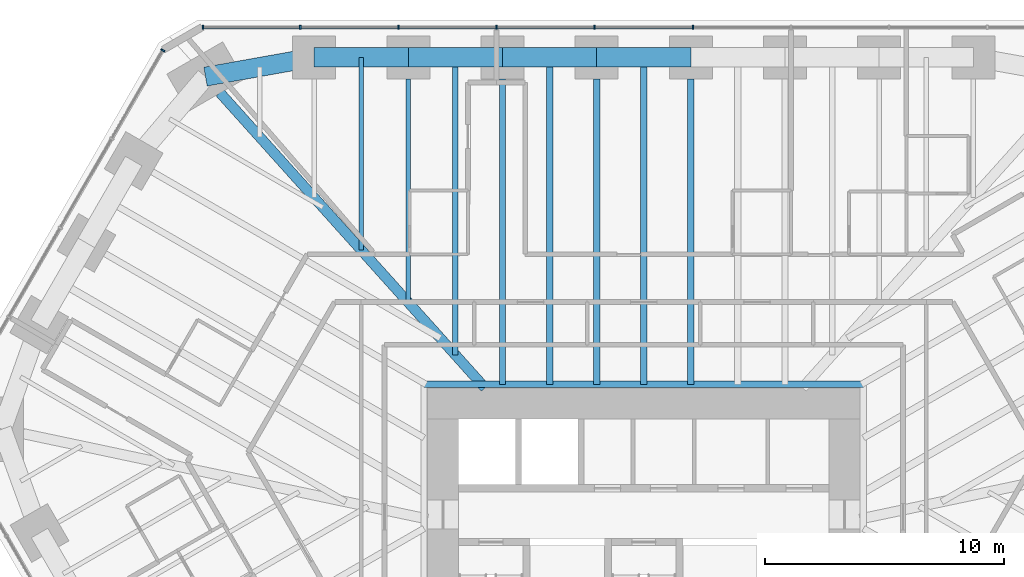
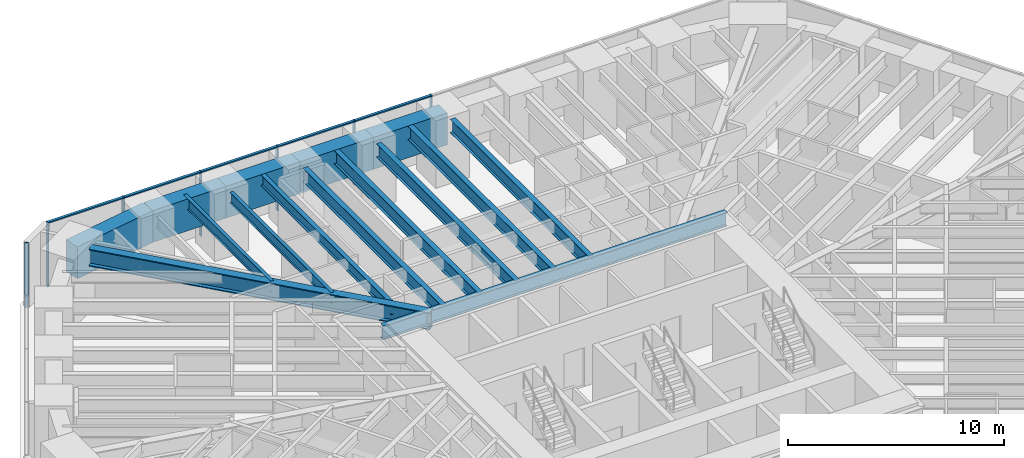
# One storey, part 8 of 17: 15 beams, 12 members, 2 elements without a shape of their own.
"""IFC4 building model written with IfcOpenShell, lengths in metres."""

from ifc_helpers import new_model, si_unit, direction, frame, origin, origin_2d, place, context, subcontext, project, spatial, rectangle, i_section, extrude, material, material_profile, profile_set, type_object, element, aggregate, save


model = new_model("IFC4")

# Units and contexts
model_context = context("Model", 3, precision=1e-05, world=origin(), true_north=direction((0.0, 1.0)))
body_context = subcontext(model_context, "Body", "Model", "MODEL_VIEW")
ifc_project = project(units=[si_unit("LENGTHUNIT", "METRE"), si_unit("AREAUNIT", "SQUARE_METRE"), si_unit("VOLUMEUNIT", "CUBIC_METRE"), si_unit("PLANEANGLEUNIT", "RADIAN"), si_unit("MASSUNIT", "GRAM", prefix="KILO")], contexts=[model_context])

# Site, building, storey
site_placement = place(None, origin())
site = spatial("IfcSite", under=ifc_project, at=site_placement, CompositionType="ELEMENT")
building_placement = place(site_placement, origin())
building = spatial("IfcBuilding", under=site, at=building_placement, Name="Sandreach Pilgrim Tower", CompositionType="ELEMENT")
storey_placement = place(building_placement, frame((0.0, 0.0, 112.0)))
storey = spatial("IfcBuildingStorey", under=building, at=storey_placement, Name="L27", CompositionType="ELEMENT", Elevation=112.0)

# Curtain wall, members
ifc_material_1 = material(Name="Aluminium framed curtain wall", Category="aluminium")
curtain_wall_type = type_object("IfcCurtainWallType", Name="Hotel tower curtain wall", PredefinedType="NOTDEFINED", material=ifc_material_1)
curtain_wall_1_placement = place(storey_placement, origin())
curtain_wall_1 = element("IfcCurtainWall", 1, at=curtain_wall_1_placement, inside=storey, type_object=curtain_wall_type, Name="CW-2 L27 N", PredefinedType="NOTDEFINED")
ifc_material_2 = material(Name="Aluminium extrusion", Category="aluminium")
ifc_material_profile_1 = material_profile(ifc_material_2, rectangle(XDim=0.06494140625, YDim=0.179931640625, at=origin_2d()), Name="CW-2M 65X180")
ifc_profile_set_1 = profile_set([ifc_material_profile_1], Name="Aluminium extrusion")
member_type_1 = type_object("IfcMemberType", Name="CW-2 mullion", PredefinedType="MULLION", material=ifc_profile_set_1)
member_1_placement = place(storey_placement, frame((-18.448974609375, 22.493896484375, 0.0), z_axis=(0.0, 0.0, 1.0), x_axis=(1.0, 0.0, 0.0)))
member_1 = element("IfcMember", 2, at=member_1_placement, type_object=member_type_1, Name="CW-2 mullion 1", PredefinedType="MULLION", context=body_context, shape_type="SweptSolid", body=[
    extrude(rectangle(XDim=0.06494140625, YDim=0.179931640625, at=origin_2d()), origin(), (0.0, 0.0, 1.0), 3.639892578125),
])
member_2_placement = place(storey_placement, frame((-14.37451171875, 22.493896484375, 0.0), z_axis=(0.0, 0.0, 1.0), x_axis=(1.0, 0.0, 0.0)))
member_2 = element("IfcMember", 3, at=member_2_placement, type_object=member_type_1, Name="CW-2 mullion 2", PredefinedType="MULLION", context=body_context, shape_type="SweptSolid", body=[
    extrude(rectangle(XDim=0.06494140625, YDim=0.179931640625, at=origin_2d()), origin(), (0.0, 0.0, 1.0), 3.639892578125),
])
member_3_placement = place(storey_placement, frame((-10.267333984375, 22.493896484375, 0.0), z_axis=(0.0, 0.0, 1.0), x_axis=(1.0, 0.0, 0.0)))
member_3 = element("IfcMember", 4, at=member_3_placement, type_object=member_type_1, Name="CW-2 mullion 3", PredefinedType="MULLION", context=body_context, shape_type="SweptSolid", body=[
    extrude(rectangle(XDim=0.06494140625, YDim=0.179931640625, at=origin_2d()), origin(), (0.0, 0.0, 1.0), 3.639892578125),
])
member_4_placement = place(storey_placement, frame((-6.160400390625, 22.493896484375, 0.0), z_axis=(0.0, 0.0, 1.0), x_axis=(1.0, 0.0, 0.0)))
member_4 = element("IfcMember", 5, at=member_4_placement, type_object=member_type_1, Name="CW-2 mullion 4", PredefinedType="MULLION", context=body_context, shape_type="SweptSolid", body=[
    extrude(rectangle(XDim=0.06494140625, YDim=0.179931640625, at=origin_2d()), origin(), (0.0, 0.0, 1.0), 3.639892578125),
])
member_5_placement = place(storey_placement, frame((-2.053466796875, 22.493896484375, 0.0), z_axis=(0.0, 0.0, 1.0), x_axis=(1.0, 0.0, 0.0)))
member_5 = element("IfcMember", 6, at=member_5_placement, type_object=member_type_1, Name="CW-2 mullion 5", PredefinedType="MULLION", context=body_context, shape_type="SweptSolid", body=[
    extrude(rectangle(XDim=0.06494140625, YDim=0.179931640625, at=origin_2d()), origin(), (0.0, 0.0, 1.0), 3.639892578125),
])
member_6_placement = place(storey_placement, frame((2.053466796875, 22.493896484375, 0.0), z_axis=(0.0, 0.0, 1.0), x_axis=(1.0, 0.0, 0.0)))
member_6 = element("IfcMember", 7, at=member_6_placement, type_object=member_type_1, Name="CW-2 mullion 6", PredefinedType="MULLION", context=body_context, shape_type="SweptSolid", body=[
    extrude(rectangle(XDim=0.06494140625, YDim=0.179931640625, at=origin_2d()), origin(), (0.0, 0.0, 1.0), 3.639892578125),
])

# Curtain wall, member
curtain_wall_2_placement = place(storey_placement, origin())
curtain_wall_2 = element("IfcCurtainWall", 8, at=curtain_wall_2_placement, inside=storey, type_object=curtain_wall_type, Name="CW-2 L27 NW", PredefinedType="NOTDEFINED")
member_7_placement = place(storey_placement, frame((-20.125732421875, 21.525634765625, 0.0), z_axis=(0.0, 0.0, 1.0), x_axis=(0.5, 0.866025403784, 0.0)))
member_7 = element("IfcMember", 9, at=member_7_placement, type_object=member_type_1, Name="CW-2 mullion 5", PredefinedType="MULLION", context=body_context, shape_type="SweptSolid", body=[
    extrude(rectangle(XDim=0.06494140625, YDim=0.179931640625, at=origin_2d()), origin(), (0.0, 0.0, 1.0), 3.639892578125),
])
aggregate(curtain_wall_2, [member_7])

# Member
ifc_material_3 = material(Name="Aluminium extrusion", Category="aluminium")
ifc_material_profile_2 = material_profile(ifc_material_3, rectangle(XDim=0.139892578125, YDim=0.070068359375, at=origin_2d()), Name="CW-2T 140X70")
ifc_profile_set_2 = profile_set([ifc_material_profile_2], Name="Aluminium extrusion")
member_type_2 = type_object("IfcMemberType", Name="CW-2 transom", PredefinedType="USERDEFINED", material=ifc_profile_set_2)
member_8_placement = place(storey_placement, frame((-18.416259765625, 22.493896484375, 3.60498046875), z_axis=(1.0, 0.0, 0.0), x_axis=(0.0, 1.0, 0.0)))
member_8 = element("IfcMember", 10, at=member_8_placement, type_object=member_type_2, Name="CW-2 head transom 1", ObjectType="TRANSOM", PredefinedType="USERDEFINED", context=body_context, shape_type="SweptSolid", body=[
    extrude(rectangle(XDim=0.139892578125, YDim=0.070068359375, at=origin_2d()), origin(), (0.0, 0.0, 1.0), 4.00927734375),
])

member_9_placement = place(storey_placement, frame((-14.341796875, 22.493896484375, 3.60498046875), z_axis=(1.0, 0.0, 0.0), x_axis=(0.0, 1.0, 0.0)))
member_9 = element("IfcMember", 11, at=member_9_placement, type_object=member_type_2, Name="CW-2 head transom 2", ObjectType="TRANSOM", PredefinedType="USERDEFINED", context=body_context, shape_type="SweptSolid", body=[
    extrude(rectangle(XDim=0.139892578125, YDim=0.070068359375, at=origin_2d()), origin(), (0.0, 0.0, 1.0), 4.041748046875),
])

member_10_placement = place(storey_placement, frame((-10.23486328125, 22.493896484375, 3.60498046875), z_axis=(1.0, 0.0, 0.0), x_axis=(0.0, 1.0, 0.0)))
member_10 = element("IfcMember", 12, at=member_10_placement, type_object=member_type_2, Name="CW-2 head transom 3", ObjectType="TRANSOM", PredefinedType="USERDEFINED", context=body_context, shape_type="SweptSolid", body=[
    extrude(rectangle(XDim=0.139892578125, YDim=0.070068359375, at=origin_2d()), origin(), (0.0, 0.0, 1.0), 4.0419921875),
])

member_11_placement = place(storey_placement, frame((-6.1279296875, 22.493896484375, 3.60498046875), z_axis=(1.0, 0.0, 0.0), x_axis=(0.0, 1.0, 0.0)))
member_11 = element("IfcMember", 13, at=member_11_placement, type_object=member_type_2, Name="CW-2 head transom 4", ObjectType="TRANSOM", PredefinedType="USERDEFINED", context=body_context, shape_type="SweptSolid", body=[
    extrude(rectangle(XDim=0.139892578125, YDim=0.070068359375, at=origin_2d()), origin(), (0.0, 0.0, 1.0), 4.0419921875),
])

member_12_placement = place(storey_placement, frame((-2.02099609375, 22.493896484375, 3.60498046875), z_axis=(1.0, 0.0, 0.0), x_axis=(0.0, 1.0, 0.0)))
member_12 = element("IfcMember", 14, at=member_12_placement, type_object=member_type_2, Name="CW-2 head transom 5", ObjectType="TRANSOM", PredefinedType="USERDEFINED", context=body_context, shape_type="SweptSolid", body=[
    extrude(rectangle(XDim=0.139892578125, YDim=0.070068359375, at=origin_2d()), origin(), (0.0, 0.0, 1.0), 4.0419921875),
])

aggregate(curtain_wall_1, [member_1, member_2, member_3, member_4, member_5, member_6, member_8, member_9, member_10, member_11, member_12])

# Beams
ifc_material_4 = material(Name="Steel ASTM A992 Grade 50", Category="steel")
ifc_material_profile_3 = material_profile(ifc_material_4, i_section(OverallWidth=0.2666015625, OverallDepth=0.77978515625, WebThickness=0.0166015625, FlangeThickness=0.030029296875, at=origin_2d()), Name="W30X148")
ifc_profile_set_3 = profile_set([ifc_material_profile_3], Name="Steel ASTM A992 Grade 50")
beam_type_1 = type_object("IfcBeamType", Name="Core edge beam W30X148", PredefinedType="BEAM", material=ifc_profile_set_3)
beam_1_placement = place(storey_placement, frame((-9.193359375, 7.54345703125, 3.25), z_axis=(1.0, 0.0, 0.0), x_axis=(0.0, 1.0, 0.0)))
element("IfcBeam", 15, at=beam_1_placement, inside=storey, type_object=beam_type_1, Name="BM L27 CEN", PredefinedType="BEAM", context=body_context, shape_type="SweptSolid", body=[
    extrude(i_section(OverallWidth=0.2666015625, OverallDepth=0.77978515625, WebThickness=0.0166015625, FlangeThickness=0.030029296875, at=origin_2d()), origin(), (0.0, 0.0, 1.0), 18.38671875),
])
ifc_material_5 = material(Name="Steel ASTM A992 Grade 50", Category="steel")
ifc_material_profile_4 = material_profile(ifc_material_5, i_section(OverallWidth=0.424072265625, OverallDepth=0.965087890625, WebThickness=0.028564453125, FlangeThickness=0.051025390625, at=origin_2d()), Name="W36X361")
ifc_profile_set_4 = profile_set([ifc_material_profile_4], Name="Steel ASTM A992 Grade 50")
beam_type_2 = type_object("IfcBeamType", Name="Corner girder W36X361", PredefinedType="BEAM", material=ifc_profile_set_4)
beam_2_placement = place(storey_placement, frame((-17.738037109375, 19.754150390625, 3.157470703125), z_axis=(0.66811374471, -0.74405915365, 0.0), x_axis=(0.74405915365, 0.66811374471, 0.0)))
element("IfcBeam", 16, at=beam_2_placement, inside=storey, type_object=beam_type_2, Name="BM L27 CG39", PredefinedType="BEAM", context=body_context, shape_type="SweptSolid", body=[
    extrude(i_section(OverallWidth=0.424072265625, OverallDepth=0.965087890625, WebThickness=0.028564453125, FlangeThickness=0.051025390625, at=origin_2d()), origin(), (0.0, 0.0, 1.0), 16.603759765625),
])
ifc_material_6 = material(Name="Steel ASTM A992 Grade 50", Category="steel")
ifc_material_profile_5 = material_profile(ifc_material_6, i_section(OverallWidth=0.1787109375, OverallDepth=0.60205078125, WebThickness=0.010986328125, FlangeThickness=0.014892578125, at=origin_2d()), Name="W24X62")
ifc_profile_set_5 = profile_set([ifc_material_profile_5], Name="Steel ASTM A992 Grade 50")
beam_type_3 = type_object("IfcBeamType", Name="Floor beam W24X62", PredefinedType="BEAM", material=ifc_profile_set_5)
beam_3_placement = place(storey_placement, frame((-9.849853515625, 20.333740234375, 3.339111328125), z_axis=(0.0, -1.0, 0.0), x_axis=(1.0, 0.0, 0.0)))
element("IfcBeam", 17, at=beam_3_placement, inside=storey, type_object=beam_type_3, Name="BM L27 F02", PredefinedType="BEAM", context=body_context, shape_type="SweptSolid", body=[
    extrude(i_section(OverallWidth=0.1787109375, OverallDepth=0.60205078125, WebThickness=0.010986328125, FlangeThickness=0.014892578125, at=origin_2d()), origin(), (0.0, 0.0, 1.0), 9.3642578125),
])
beam_4_placement = place(storey_placement, frame((-11.81982421875, 21.23388671875, 3.339111328125), z_axis=(0.0, -1.0, 0.0), x_axis=(1.0, 0.0, 0.0)))
element("IfcBeam", 18, at=beam_4_placement, inside=storey, type_object=beam_type_3, Name="BM L27 FM01", PredefinedType="BEAM", context=body_context, shape_type="SweptSolid", body=[
    extrude(i_section(OverallWidth=0.1787109375, OverallDepth=0.60205078125, WebThickness=0.010986328125, FlangeThickness=0.014892578125, at=origin_2d()), origin(), (0.0, 0.0, 1.0), 8.070556640625),
])
ifc_material_7 = material(Name="Steel ASTM A992 Grade 50", Category="steel")
ifc_material_profile_6 = material_profile(ifc_material_7, i_section(OverallWidth=0.23046875, OverallDepth=0.6171875, WebThickness=0.01318359375, FlangeThickness=0.022216796875, at=origin_2d()), Name="W24X94")
ifc_profile_set_6 = profile_set([ifc_material_profile_6], Name="Steel ASTM A992 Grade 50")
beam_type_4 = type_object("IfcBeamType", Name="Floor beam W24X94", PredefinedType="BEAM", material=ifc_profile_set_6)
beam_5_placement = place(storey_placement, frame((-7.8798828125, 21.23388671875, 3.331298828125), z_axis=(0.0, -1.0, 0.0), x_axis=(1.0, 0.0, 0.0)))
element("IfcBeam", 19, at=beam_5_placement, inside=storey, type_object=beam_type_4, Name="BM L27 FM02", PredefinedType="BEAM", context=body_context, shape_type="SweptSolid", body=[
    extrude(i_section(OverallWidth=0.23046875, OverallDepth=0.6171875, WebThickness=0.01318359375, FlangeThickness=0.022216796875, at=origin_2d()), origin(), (0.0, 0.0, 1.0), 12.458251953125),
])
ifc_material_8 = material(Name="Steel ASTM A992 Grade 50", Category="steel")
ifc_material_profile_7 = material_profile(ifc_material_8, i_section(OverallWidth=0.2666015625, OverallDepth=0.761962890625, WebThickness=0.014404296875, FlangeThickness=0.021484375, at=origin_2d()), Name="W30X116")
ifc_profile_set_7 = profile_set([ifc_material_profile_7], Name="Steel ASTM A992 Grade 50")
beam_type_5 = type_object("IfcBeamType", Name="Floor beam W30X116", PredefinedType="BEAM", material=ifc_profile_set_7)
for number, where, z_axis, x_axis, name in (
    (20, (-5.909912109375, 20.333740234375, 3.259033203125), (0.0, -1.0, 0.0), (1.0, 0.0, 0.0), "BM L27 F03"),
    (21, (-1.969970703125, 20.333740234375, 3.259033203125), (0.0, -1.0, 0.0), (1.0, 0.0, 0.0), "BM L27 F04"),
    (22, (1.969970703125, 20.333740234375, 3.259033203125), (0.0, -1.0, 0.0), (1.0, 0.0, 0.0), "BM L27 F05"),
):
    element("IfcBeam", number, at=place(storey_placement, frame(where, z_axis=z_axis, x_axis=x_axis)), inside=storey, type_object=beam_type_5, Name=name, PredefinedType="BEAM", context=body_context, shape_type="SweptSolid", body=[
        extrude(i_section(OverallWidth=0.2666015625, OverallDepth=0.761962890625, WebThickness=0.014404296875, FlangeThickness=0.021484375, at=origin_2d()), origin(), (0.0, 0.0, 1.0), 12.790283203125),
    ])
for number, where, z_axis, x_axis, name in (
    (23, (-3.93994140625, 21.23388671875, 3.259033203125), (0.0, -1.0, 0.0), (1.0, 0.0, 0.0), "BM L27 FM03"),
    (24, (0.0, 21.23388671875, 3.259033203125), (0.0, -1.0, 0.0), (1.0, 0.0, 0.0), "BM L27 FM04"),
):
    element("IfcBeam", number, at=place(storey_placement, frame(where, z_axis=z_axis, x_axis=x_axis)), inside=storey, type_object=beam_type_5, Name=name, PredefinedType="BEAM", context=body_context, shape_type="SweptSolid", body=[
        extrude(i_section(OverallWidth=0.2666015625, OverallDepth=0.761962890625, WebThickness=0.014404296875, FlangeThickness=0.021484375, at=origin_2d()), origin(), (0.0, 0.0, 1.0), 13.6904296875),
    ])
ifc_material_9 = material(Name="Concrete 10000 psi", Category="concrete")
ifc_material_profile_8 = material_profile(ifc_material_9, rectangle(XDim=0.800048828125, YDim=1.800048828125, at=origin_2d()), Name="RC800X1800")
ifc_profile_set_8 = profile_set([ifc_material_profile_8], Name="Concrete 10000 psi")
beam_type_6 = type_object("IfcBeamType", Name="Spandrel beam RC800X1800", PredefinedType="SPANDREL", material=ifc_profile_set_8)
for number, where, z_axis, x_axis, name in (
    (25, (-13.789794921875, 21.23388671875, 2.739990234375), (1.0, 0.0, 0.0), (0.0, 1.0, 0.0), "BM L27 SP01"),
    (26, (-9.849853515625, 21.23388671875, 2.739990234375), (1.0, 0.0, 0.0), (0.0, 1.0, 0.0), "BM L27 SP02"),
    (27, (-5.909912109375, 21.23388671875, 2.739990234375), (1.0, 0.0, 0.0), (0.0, 1.0, 0.0), "BM L27 SP03"),
    (28, (-1.969970703125, 21.23388671875, 2.739990234375), (1.0, 0.0, 0.0), (0.0, 1.0, 0.0), "BM L27 SP04"),
):
    element("IfcBeam", number, at=place(storey_placement, frame(where, z_axis=z_axis, x_axis=x_axis)), inside=storey, type_object=beam_type_6, Name=name, PredefinedType="SPANDREL", context=body_context, shape_type="SweptSolid", body=[
        extrude(rectangle(XDim=0.800048828125, YDim=1.800048828125, at=origin_2d()), origin(), (0.0, 0.0, 1.0), 3.93994140625),
    ])
beam_6_placement = place(storey_placement, frame((-18.33935546875, 20.423828125, 2.739990234375), z_axis=(0.984515938739, 0.175295083699, 0.0), x_axis=(-0.175295083699, 0.984515938739, 0.0)))
element("IfcBeam", 29, at=beam_6_placement, inside=storey, type_object=beam_type_6, Name="BM L27 SP39", PredefinedType="SPANDREL", context=body_context, shape_type="SweptSolid", body=[
    extrude(rectangle(XDim=0.800048828125, YDim=1.800048828125, at=origin_2d()), origin(), (0.0, 0.0, 1.0), 4.62109375),
])

save(model, "model.ifc")
